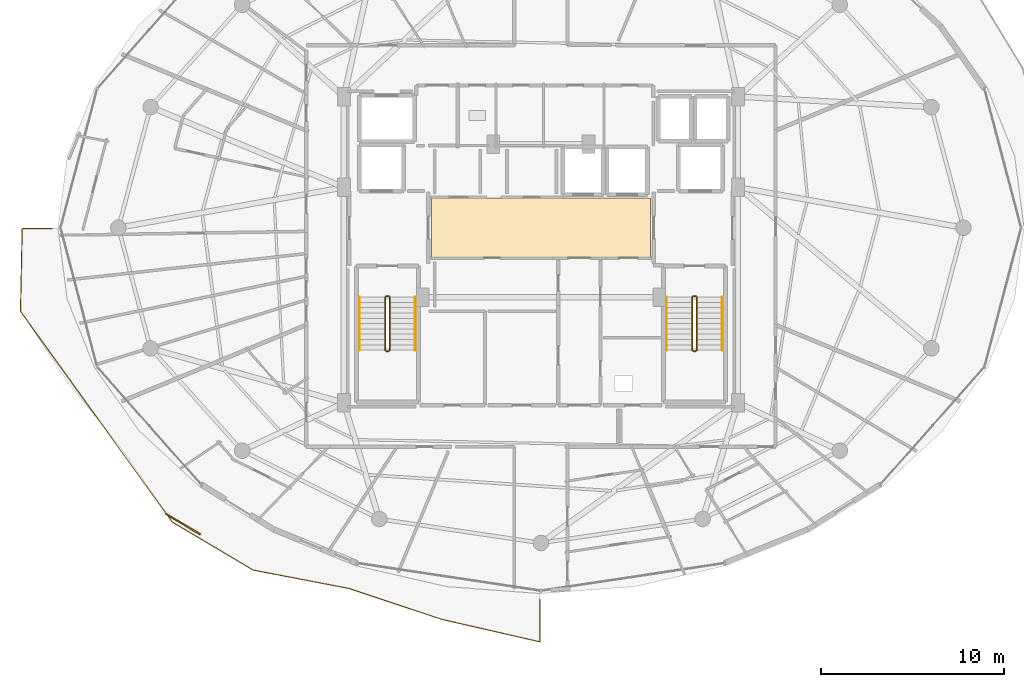
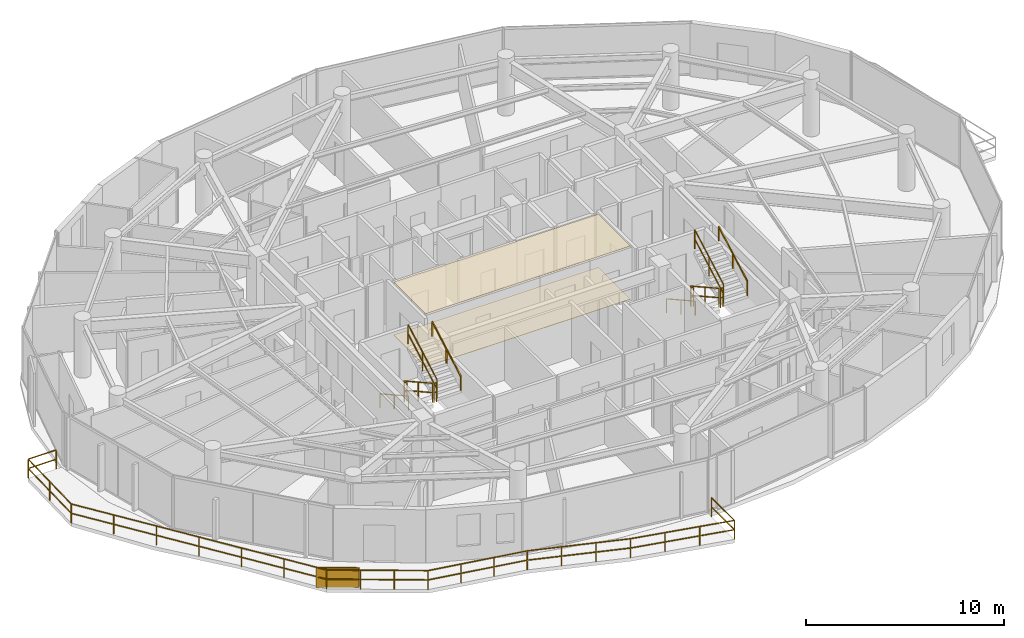
# One storey, part 29 of 31: 14 railings, 2 coverings, 1 shading device.
"""IFC4 building model written with IfcOpenShell, lengths in metres."""

from ifc_helpers import new_model, si_unit, direction, frame, origin, origin_2d, place, context, subcontext, project, spatial, polyline, rectangle, outline, extrude, material, layer, layer_set, type_object, element, save


model = new_model("IFC4")

# Units and contexts
model_context = context("Model", 3, precision=1e-05, world=origin(), true_north=direction((0.0, 1.0)))
body_context = subcontext(model_context, "Body", "Model", "MODEL_VIEW")
ifc_project = project(units=[si_unit("LENGTHUNIT", "METRE"), si_unit("AREAUNIT", "SQUARE_METRE"), si_unit("VOLUMEUNIT", "CUBIC_METRE"), si_unit("PLANEANGLEUNIT", "RADIAN"), si_unit("MASSUNIT", "GRAM", prefix="KILO")], contexts=[model_context])

# Site, building, storey
site_placement = place(None, origin())
site = spatial("IfcSite", under=ifc_project, at=site_placement, CompositionType="ELEMENT")
building_placement = place(site_placement, origin())
building = spatial("IfcBuilding", under=site, at=building_placement, Name="Vorneva Point Tower", CompositionType="ELEMENT")
storey_placement = place(building_placement, frame((0.0, 0.0, 244.89990234375)))
storey = spatial("IfcBuildingStorey", under=building, at=storey_placement, Name="L66", CompositionType="ELEMENT", Elevation=244.89990234375)

# Coverings
ifc_material_1 = material(Name="Perforated acoustic aluminium baffle ceiling", Category="aluminium")
ifc_layer_1 = layer(ifc_material_1, 0.030029296875)
ifc_layer_set_1 = layer_set([ifc_layer_1], Name="Perforated acoustic aluminium baffle ceiling")
covering_type_1 = type_object("IfcCoveringType", Name="COV-CEIL-BAF", PredefinedType="CEILING", material=ifc_layer_set_1)
covering_1_placement = place(storey_placement, frame((0.0, 0.0, 3.260009765625)))
element("IfcCovering", 1, at=covering_1_placement, inside=storey, type_object=covering_type_1, Name="L66 Lift Lobby Acoustic Baffle Ceiling", PredefinedType="CEILING", context=body_context, shape_type="SweptSolid", body=[
    extrude(outline(polyline([(32.02001953125, 24.3701171875), (43.97998046875, 24.3701171875), (43.97998046875, 27.6298828125), (32.02001953125, 27.6298828125), (32.02001953125, 24.3701171875)])), origin(), (0.0, 0.0, 1.0), 0.03515625),
])
ifc_material_2 = material(Name="Acoustic wool hospitality carpet", Category="textile")
ifc_layer_2 = layer(ifc_material_2, 0.01806640625)
ifc_layer_set_2 = layer_set([ifc_layer_2], Name="Acoustic wool hospitality carpet")
covering_type_2 = type_object("IfcCoveringType", Name="COV-FLR-CRP", PredefinedType="FLOORING", material=ifc_layer_set_2)
covering_2_placement = place(storey_placement, frame((0.0, 0.0, -0.0048828125)))
element("IfcCovering", 2, at=covering_2_placement, inside=storey, type_object=covering_type_2, Name="L66 Lift Lobby Floor Finish", PredefinedType="FLOORING", context=body_context, shape_type="SweptSolid", body=[
    extrude(outline(polyline([(32.02001953125, 24.3701171875), (43.97998046875, 24.3701171875), (43.97998046875, 27.6298828125), (32.02001953125, 27.6298828125), (32.02001953125, 24.3701171875)])), origin(), (0.0, 0.0, 1.0), 0.02294921875),
])

# Railings
ifc_material_3 = material(Name="Pale anodised aluminium", Category="aluminium")
railing_type_1 = type_object("IfcRailingType", Name="RL-BAL-1200", PredefinedType="BALUSTRADE", material=ifc_material_3)
railing_1_placement = place(storey_placement, frame((37.949951171875, 3.401611328125, 0.0)))
element("IfcRailing", 3, at=railing_1_placement, inside=storey, type_object=railing_type_1, Name="L66 Wave Balcony Balustrade SW.1", PredefinedType="BALUSTRADE", context=body_context, shape_type="SweptSolid", body=[
    extrude(rectangle(XDim=0.048095703125, YDim=0.048095703125, at=origin_2d()), frame((0.0, 0.0, 1.17578125), z_axis=(0.0, 1.0, 0.0), x_axis=(-1.0, 0.0, 0.0)), (0.0, 0.0, 1.0), 2.3212890625),
    extrude(rectangle(XDim=0.048095703125, YDim=0.048095703125, at=origin_2d()), frame((0.0, 0.0, 0.60009765625), z_axis=(0.0, 1.0, 0.0), x_axis=(-1.0, 0.0, 0.0)), (0.0, 0.0, 1.0), 2.3212890625),
    extrude(rectangle(XDim=0.0419921875, YDim=0.0419921875, at=origin_2d()), origin(), (0.0, 0.0, 1.0), 1.15185546875),
    extrude(rectangle(XDim=0.0419921875, YDim=0.0419921875, at=origin_2d()), frame((0.0, 2.3212890625, 0.0)), (0.0, 0.0, 1.0), 1.15185546875),
])
railing_2_placement = place(storey_placement, frame((11.333740234375, 25.949951171875, 0.0)))
element("IfcRailing", 4, at=railing_2_placement, inside=storey, type_object=railing_type_1, Name="L66 Wave Balcony Balustrade SW.2", PredefinedType="BALUSTRADE", context=body_context, shape_type="SweptSolid", body=[
    extrude(rectangle(XDim=0.048095703125, YDim=0.048095703125, at=origin_2d()), frame((0.0, 0.0, 1.17578125), z_axis=(-1.0, 0.0, 0.0), x_axis=(0.0, -1.0, 0.0)), (0.0, 0.0, 1.0), 1.634765625),
    extrude(rectangle(XDim=0.048095703125, YDim=0.048095703125, at=origin_2d()), frame((0.0, 0.0, 0.60009765625), z_axis=(-1.0, 0.0, 0.0), x_axis=(0.0, -1.0, 0.0)), (0.0, 0.0, 1.0), 1.634765625),
    extrude(rectangle(XDim=0.048095703125, YDim=0.048095703125, at=origin_2d()), frame((-1.634765625, 0.0, 1.17578125), z_axis=(-0.020549532546, -0.999788836061, 0.0), x_axis=(0.999788836061, -0.020549532546, 0.0)), (0.0, 0.0, 1.0), 4.5146484375),
    extrude(rectangle(XDim=0.048095703125, YDim=0.048095703125, at=origin_2d()), frame((-1.634765625, 0.0, 0.60009765625), z_axis=(-0.020549532546, -0.999788836061, 0.0), x_axis=(0.999788836061, -0.020549532546, 0.0)), (0.0, 0.0, 1.0), 4.5146484375),
    extrude(rectangle(XDim=0.048095703125, YDim=0.048095703125, at=origin_2d()), frame((-1.7275390625, -4.513671875, 1.17578125), z_axis=(0.584576966911, -0.811338258531, 0.0), x_axis=(0.811338258531, 0.584576966911, 0.0)), (0.0, 0.0, 1.0), 14.1728515625),
    extrude(rectangle(XDim=0.048095703125, YDim=0.048095703125, at=origin_2d()), frame((-1.7275390625, -4.513671875, 0.60009765625), z_axis=(0.584576966911, -0.811338258531, 0.0), x_axis=(0.811338258531, 0.584576966911, 0.0)), (0.0, 0.0, 1.0), 14.1728515625),
    extrude(rectangle(XDim=0.048095703125, YDim=0.048095703125, at=origin_2d()), frame((6.5576171875, -16.0126953125, 1.17578125), z_axis=(0.85984691298, -0.510551942743, 0.0), x_axis=(0.510551942743, 0.85984691298, 0.0)), (0.0, 0.0, 1.0), 5.13232421875),
    extrude(rectangle(XDim=0.048095703125, YDim=0.048095703125, at=origin_2d()), frame((6.5576171875, -16.0126953125, 0.60009765625), z_axis=(0.85984691298, -0.510551942743, 0.0), x_axis=(0.510551942743, 0.85984691298, 0.0)), (0.0, 0.0, 1.0), 5.13232421875),
    extrude(rectangle(XDim=0.048095703125, YDim=0.048095703125, at=origin_2d()), frame((10.970703125, -18.633056640625, 1.17578125), z_axis=(0.982117634972, -0.188268295464, 0.0), x_axis=(0.188268295464, 0.982117634972, 0.0)), (0.0, 0.0, 1.0), 5.316650390625),
    extrude(rectangle(XDim=0.048095703125, YDim=0.048095703125, at=origin_2d()), frame((10.970703125, -18.633056640625, 0.60009765625), z_axis=(0.982117634972, -0.188268295464, 0.0), x_axis=(0.188268295464, 0.982117634972, 0.0)), (0.0, 0.0, 1.0), 5.316650390625),
    extrude(rectangle(XDim=0.048095703125, YDim=0.048095703125, at=origin_2d()), frame((16.1923828125, -19.634033203125, 1.17578125), z_axis=(0.94880218578, -0.315870879093, 0.0), x_axis=(0.315870879093, 0.94880218578, 0.0)), (0.0, 0.0, 1.0), 5.336181640625),
    extrude(rectangle(XDim=0.048095703125, YDim=0.048095703125, at=origin_2d()), frame((16.1923828125, -19.634033203125, 0.60009765625), z_axis=(0.94880218578, -0.315870879093, 0.0), x_axis=(0.315870879093, 0.94880218578, 0.0)), (0.0, 0.0, 1.0), 5.336181640625),
    extrude(rectangle(XDim=0.048095703125, YDim=0.048095703125, at=origin_2d()), frame((21.25537109375, -21.319580078125, 1.17578125), z_axis=(0.974723055211, -0.223416574227, 0.0), x_axis=(0.223416574227, 0.974723055211, 0.0)), (0.0, 0.0, 1.0), 5.499755859375),
    extrude(rectangle(XDim=0.048095703125, YDim=0.048095703125, at=origin_2d()), frame((21.25537109375, -21.319580078125, 0.60009765625), z_axis=(0.974723055211, -0.223416574227, 0.0), x_axis=(0.223416574227, 0.974723055211, 0.0)), (0.0, 0.0, 1.0), 5.499755859375),
    extrude(rectangle(XDim=0.0419921875, YDim=0.0419921875, at=origin_2d()), origin(), (0.0, 0.0, 1.0), 1.15185546875),
    extrude(rectangle(XDim=0.0419921875, YDim=0.0419921875, at=origin_2d()), frame((-1.634765625, 0.0, 0.0)), (0.0, 0.0, 1.0), 1.15185546875),
    extrude(rectangle(XDim=0.0419921875, YDim=0.0419921875, at=origin_2d()), frame((-1.68115234375, -2.2568359375, 0.0)), (0.0, 0.0, 1.0), 1.15185546875),
    extrude(rectangle(XDim=0.0419921875, YDim=0.0419921875, at=origin_2d()), frame((-1.7275390625, -4.513671875, 0.0)), (0.0, 0.0, 1.0), 1.15185546875),
    extrude(rectangle(XDim=0.0419921875, YDim=0.0419921875, at=origin_2d()), frame((-0.3466796875, -6.43017578125, 0.0)), (0.0, 0.0, 1.0), 1.15185546875),
    extrude(rectangle(XDim=0.0419921875, YDim=0.0419921875, at=origin_2d()), frame((1.0341796875, -8.3466796875, 0.0)), (0.0, 0.0, 1.0), 1.15185546875),
    extrude(rectangle(XDim=0.0419921875, YDim=0.0419921875, at=origin_2d()), frame((2.4150390625, -10.26318359375, 0.0)), (0.0, 0.0, 1.0), 1.15185546875),
    extrude(rectangle(XDim=0.0419921875, YDim=0.0419921875, at=origin_2d()), frame((3.7958984375, -12.1796875, 0.0)), (0.0, 0.0, 1.0), 1.15185546875),
    extrude(rectangle(XDim=0.0419921875, YDim=0.0419921875, at=origin_2d()), frame((5.1767578125, -14.09619140625, 0.0)), (0.0, 0.0, 1.0), 1.15185546875),
    extrude(rectangle(XDim=0.0419921875, YDim=0.0419921875, at=origin_2d()), frame((6.5576171875, -16.0126953125, 0.0)), (0.0, 0.0, 1.0), 1.15185546875),
    extrude(rectangle(XDim=0.0419921875, YDim=0.0419921875, at=origin_2d()), frame((8.028564453125, -16.88623046875, 0.0)), (0.0, 0.0, 1.0), 1.15185546875),
    extrude(rectangle(XDim=0.0419921875, YDim=0.0419921875, at=origin_2d()), frame((9.499755859375, -17.759521484375, 0.0)), (0.0, 0.0, 1.0), 1.15185546875),
    extrude(rectangle(XDim=0.0419921875, YDim=0.0419921875, at=origin_2d()), frame((10.970703125, -18.633056640625, 0.0)), (0.0, 0.0, 1.0), 1.15185546875),
    extrude(rectangle(XDim=0.0419921875, YDim=0.0419921875, at=origin_2d()), frame((12.711181640625, -18.966796875, 0.0)), (0.0, 0.0, 1.0), 1.15185546875),
    extrude(rectangle(XDim=0.0419921875, YDim=0.0419921875, at=origin_2d()), frame((14.451904296875, -19.30029296875, 0.0)), (0.0, 0.0, 1.0), 1.15185546875),
    extrude(rectangle(XDim=0.0419921875, YDim=0.0419921875, at=origin_2d()), frame((16.1923828125, -19.634033203125, 0.0)), (0.0, 0.0, 1.0), 1.15185546875),
    extrude(rectangle(XDim=0.0419921875, YDim=0.0419921875, at=origin_2d()), frame((17.880126953125, -20.19580078125, 0.0)), (0.0, 0.0, 1.0), 1.15185546875),
    extrude(rectangle(XDim=0.0419921875, YDim=0.0419921875, at=origin_2d()), frame((19.567626953125, -20.7578125, 0.0)), (0.0, 0.0, 1.0), 1.15185546875),
    extrude(rectangle(XDim=0.0419921875, YDim=0.0419921875, at=origin_2d()), frame((21.25537109375, -21.319580078125, 0.0)), (0.0, 0.0, 1.0), 1.15185546875),
    extrude(rectangle(XDim=0.0419921875, YDim=0.0419921875, at=origin_2d()), frame((23.042236328125, -21.729248046875, 0.0)), (0.0, 0.0, 1.0), 1.15185546875),
    extrude(rectangle(XDim=0.0419921875, YDim=0.0419921875, at=origin_2d()), frame((24.829345703125, -22.138671875, 0.0)), (0.0, 0.0, 1.0), 1.15185546875),
    extrude(rectangle(XDim=0.0419921875, YDim=0.0419921875, at=origin_2d()), frame((26.6162109375, -22.54833984375, 0.0)), (0.0, 0.0, 1.0), 1.15185546875),
])
ifc_material_4 = material(Name="Brushed stainless steel S304", Category="steel")
railing_type_2 = type_object("IfcRailingType", Name="RL-HND-920", PredefinedType="HANDRAIL", material=ifc_material_4)
railing_3_placement = place(storey_placement, frame((28.10009765625, 22.219970703125, 0.161376953125)))
element("IfcRailing", 5, at=railing_3_placement, inside=storey, type_object=railing_type_2, Name="L66 ST1 stair handrail 1", PredefinedType="HANDRAIL", context=body_context, shape_type="SweptSolid", body=[
    extrude(rectangle(XDim=0.048095703125, YDim=0.048095703125, at=origin_2d()), frame((0.0, 0.0, 0.8759765625), z_axis=(0.0, -0.873810046276, 0.486267419253), x_axis=(1.0, 0.0, 0.0)), (0.0, 0.0, 1.0), 3.318603515625),
    extrude(rectangle(XDim=0.0419921875, YDim=0.0419921875, at=origin_2d()), origin(), (0.0, 0.0, 1.0), 0.851806640625),
    extrude(rectangle(XDim=0.0419921875, YDim=0.0419921875, at=origin_2d()), frame((0.0, -1.449951171875, 0.806884765625)), (0.0, 0.0, 1.0), 0.851806640625),
    extrude(rectangle(XDim=0.0419921875, YDim=0.0419921875, at=origin_2d()), frame((0.0, -2.89990234375, 1.61376953125)), (0.0, 0.0, 1.0), 0.851806640625),
])
railing_4_placement = place(storey_placement, frame((31.14990234375, 19.320068359375, 1.9365234375)))
element("IfcRailing", 6, at=railing_4_placement, inside=storey, type_object=railing_type_2, Name="L66 ST1 stair handrail 2", PredefinedType="HANDRAIL", context=body_context, shape_type="SweptSolid", body=[
    extrude(rectangle(XDim=0.048095703125, YDim=0.048095703125, at=origin_2d()), frame((0.0, 0.0, 0.8759765625), z_axis=(0.0, 0.873841303929, 0.486211245805), x_axis=(-1.0, 0.0, 0.0)), (0.0, 0.0, 1.0), 3.318603515625),
    extrude(rectangle(XDim=0.0419921875, YDim=0.0419921875, at=origin_2d()), origin(), (0.0, 0.0, 1.0), 0.851806640625),
    extrude(rectangle(XDim=0.0419921875, YDim=0.0419921875, at=origin_2d()), frame((0.0, 1.449951171875, 0.806640625)), (0.0, 0.0, 1.0), 0.851806640625),
    extrude(rectangle(XDim=0.0419921875, YDim=0.0419921875, at=origin_2d()), frame((0.0, 2.89990234375, 1.613525390625)), (0.0, 0.0, 1.0), 0.851806640625),
])
railing_5_placement = place(storey_placement, frame((44.85009765625, 22.219970703125, 0.161376953125)))
element("IfcRailing", 7, at=railing_5_placement, inside=storey, type_object=railing_type_2, Name="L66 ST2 stair handrail 1", PredefinedType="HANDRAIL", context=body_context, shape_type="SweptSolid", body=[
    extrude(rectangle(XDim=0.048095703125, YDim=0.048095703125, at=origin_2d()), frame((0.0, 0.0, 0.8759765625), z_axis=(0.0, -0.873810046276, 0.486267419253), x_axis=(1.0, 0.0, 0.0)), (0.0, 0.0, 1.0), 3.318603515625),
    extrude(rectangle(XDim=0.0419921875, YDim=0.0419921875, at=origin_2d()), origin(), (0.0, 0.0, 1.0), 0.851806640625),
    extrude(rectangle(XDim=0.0419921875, YDim=0.0419921875, at=origin_2d()), frame((0.0, -1.449951171875, 0.806884765625)), (0.0, 0.0, 1.0), 0.851806640625),
    extrude(rectangle(XDim=0.0419921875, YDim=0.0419921875, at=origin_2d()), frame((0.0, -2.89990234375, 1.61376953125)), (0.0, 0.0, 1.0), 0.851806640625),
])
railing_6_placement = place(storey_placement, frame((47.89990234375, 19.320068359375, 1.9365234375)))
element("IfcRailing", 8, at=railing_6_placement, inside=storey, type_object=railing_type_2, Name="L66 ST2 stair handrail 2", PredefinedType="HANDRAIL", context=body_context, shape_type="SweptSolid", body=[
    extrude(rectangle(XDim=0.048095703125, YDim=0.048095703125, at=origin_2d()), frame((0.0, 0.0, 0.8759765625), z_axis=(0.0, 0.873841303929, 0.486211245805), x_axis=(-1.0, 0.0, 0.0)), (0.0, 0.0, 1.0), 3.318603515625),
    extrude(rectangle(XDim=0.0419921875, YDim=0.0419921875, at=origin_2d()), origin(), (0.0, 0.0, 1.0), 0.851806640625),
    extrude(rectangle(XDim=0.0419921875, YDim=0.0419921875, at=origin_2d()), frame((0.0, 1.449951171875, 0.806640625)), (0.0, 0.0, 1.0), 0.851806640625),
    extrude(rectangle(XDim=0.0419921875, YDim=0.0419921875, at=origin_2d()), frame((0.0, 2.89990234375, 1.613525390625)), (0.0, 0.0, 1.0), 0.851806640625),
])
railing_type_3 = type_object("IfcRailingType", Name="RL-STG-1100", PredefinedType="GUARDRAIL", material=ifc_material_4)
railing_7_placement = place(storey_placement, frame((29.5, 22.219970703125, 0.161376953125)))
element("IfcRailing", 9, at=railing_7_placement, inside=storey, type_object=railing_type_3, Name="L66 ST1 stair guard 1", PredefinedType="GUARDRAIL", context=body_context, shape_type="SweptSolid", body=[
    extrude(rectangle(XDim=0.048095703125, YDim=0.048095703125, at=origin_2d()), frame((0.0, 0.0, 1.17578125), z_axis=(0.0, -0.873810046276, 0.486267419253), x_axis=(1.0, 0.0, 0.0)), (0.0, 0.0, 1.0), 3.318603515625),
    extrude(rectangle(XDim=0.048095703125, YDim=0.048095703125, at=origin_2d()), frame((0.0, 0.0, 0.60009765625), z_axis=(0.0, -0.873810046276, 0.486267419253), x_axis=(1.0, 0.0, 0.0)), (0.0, 0.0, 1.0), 3.318603515625),
    extrude(rectangle(XDim=0.0419921875, YDim=0.0419921875, at=origin_2d()), origin(), (0.0, 0.0, 1.0), 1.15185546875),
    extrude(rectangle(XDim=0.0419921875, YDim=0.0419921875, at=origin_2d()), frame((0.0, -1.449951171875, 0.806884765625)), (0.0, 0.0, 1.0), 1.15185546875),
    extrude(rectangle(XDim=0.0419921875, YDim=0.0419921875, at=origin_2d()), frame((0.0, -2.89990234375, 1.61376953125)), (0.0, 0.0, 1.0), 1.15185546875),
])
railing_8_placement = place(storey_placement, frame((29.550048828125, 19.27001953125, 1.775146484375)))
element("IfcRailing", 10, at=railing_8_placement, inside=storey, type_object=railing_type_3, Name="L66 ST1 stair guard 2", PredefinedType="GUARDRAIL", context=body_context, shape_type="SweptSolid", body=[
    extrude(rectangle(XDim=0.048095703125, YDim=0.048095703125, at=origin_2d()), frame((0.0, 0.0, 1.17578125), z_axis=(1.0, 0.0, 0.0), x_axis=(0.0, 1.0, 0.0)), (0.0, 0.0, 1.0), 0.14990234375),
    extrude(rectangle(XDim=0.048095703125, YDim=0.048095703125, at=origin_2d()), frame((0.0, 0.0, 0.60009765625), z_axis=(1.0, 0.0, 0.0), x_axis=(0.0, 1.0, 0.0)), (0.0, 0.0, 1.0), 0.14990234375),
    extrude(rectangle(XDim=0.0419921875, YDim=0.0419921875, at=origin_2d()), origin(), (0.0, 0.0, 1.0), 1.15185546875),
    extrude(rectangle(XDim=0.0419921875, YDim=0.0419921875, at=origin_2d()), frame((0.14990234375, 0.0, 0.0)), (0.0, 0.0, 1.0), 1.15185546875),
])
railing_9_placement = place(storey_placement, frame((29.75, 19.320068359375, 1.9365234375)))
element("IfcRailing", 11, at=railing_9_placement, inside=storey, type_object=railing_type_3, Name="L66 ST1 stair guard 3", PredefinedType="GUARDRAIL", context=body_context, shape_type="SweptSolid", body=[
    extrude(rectangle(XDim=0.048095703125, YDim=0.048095703125, at=origin_2d()), frame((0.0, 0.0, 1.17578125), z_axis=(0.0, 0.873841303929, 0.486211245805), x_axis=(-1.0, 0.0, 0.0)), (0.0, 0.0, 1.0), 3.318603515625),
    extrude(rectangle(XDim=0.048095703125, YDim=0.048095703125, at=origin_2d()), frame((0.0, 0.0, 0.60009765625), z_axis=(0.0, 0.873841303929, 0.486211245805), x_axis=(-1.0, 0.0, 0.0)), (0.0, 0.0, 1.0), 3.318603515625),
    extrude(rectangle(XDim=0.0419921875, YDim=0.0419921875, at=origin_2d()), origin(), (0.0, 0.0, 1.0), 1.15185546875),
    extrude(rectangle(XDim=0.0419921875, YDim=0.0419921875, at=origin_2d()), frame((0.0, 1.449951171875, 0.806640625)), (0.0, 0.0, 1.0), 1.15185546875),
    extrude(rectangle(XDim=0.0419921875, YDim=0.0419921875, at=origin_2d()), frame((0.0, 2.89990234375, 1.613525390625)), (0.0, 0.0, 1.0), 1.15185546875),
])
railing_10_placement = place(storey_placement, frame((29.550048828125, 22.27001953125, 0.0)))
element("IfcRailing", 12, at=railing_10_placement, inside=storey, type_object=railing_type_3, Name="L66 ST1 stair guard 4", PredefinedType="GUARDRAIL", context=body_context, shape_type="SweptSolid", body=[
    extrude(rectangle(XDim=0.048095703125, YDim=0.048095703125, at=origin_2d()), frame((0.0, 0.0, 1.17578125), z_axis=(1.0, 0.0, 0.0), x_axis=(0.0, 1.0, 0.0)), (0.0, 0.0, 1.0), 0.14990234375),
    extrude(rectangle(XDim=0.048095703125, YDim=0.048095703125, at=origin_2d()), frame((0.0, 0.0, 0.60009765625), z_axis=(1.0, 0.0, 0.0), x_axis=(0.0, 1.0, 0.0)), (0.0, 0.0, 1.0), 0.14990234375),
    extrude(rectangle(XDim=0.0419921875, YDim=0.0419921875, at=origin_2d()), origin(), (0.0, 0.0, 1.0), 1.15185546875),
    extrude(rectangle(XDim=0.0419921875, YDim=0.0419921875, at=origin_2d()), frame((0.14990234375, 0.0, 0.0)), (0.0, 0.0, 1.0), 1.15185546875),
])
railing_11_placement = place(storey_placement, frame((46.25, 22.219970703125, 0.161376953125)))
element("IfcRailing", 13, at=railing_11_placement, inside=storey, type_object=railing_type_3, Name="L66 ST2 stair guard 1", PredefinedType="GUARDRAIL", context=body_context, shape_type="SweptSolid", body=[
    extrude(rectangle(XDim=0.048095703125, YDim=0.048095703125, at=origin_2d()), frame((0.0, 0.0, 1.17578125), z_axis=(0.0, -0.873810046276, 0.486267419253), x_axis=(1.0, 0.0, 0.0)), (0.0, 0.0, 1.0), 3.318603515625),
    extrude(rectangle(XDim=0.048095703125, YDim=0.048095703125, at=origin_2d()), frame((0.0, 0.0, 0.60009765625), z_axis=(0.0, -0.873810046276, 0.486267419253), x_axis=(1.0, 0.0, 0.0)), (0.0, 0.0, 1.0), 3.318603515625),
    extrude(rectangle(XDim=0.0419921875, YDim=0.0419921875, at=origin_2d()), origin(), (0.0, 0.0, 1.0), 1.15185546875),
    extrude(rectangle(XDim=0.0419921875, YDim=0.0419921875, at=origin_2d()), frame((0.0, -1.449951171875, 0.806884765625)), (0.0, 0.0, 1.0), 1.15185546875),
    extrude(rectangle(XDim=0.0419921875, YDim=0.0419921875, at=origin_2d()), frame((0.0, -2.89990234375, 1.61376953125)), (0.0, 0.0, 1.0), 1.15185546875),
])
railing_12_placement = place(storey_placement, frame((46.300048828125, 19.27001953125, 1.775146484375)))
element("IfcRailing", 14, at=railing_12_placement, inside=storey, type_object=railing_type_3, Name="L66 ST2 stair guard 2", PredefinedType="GUARDRAIL", context=body_context, shape_type="SweptSolid", body=[
    extrude(rectangle(XDim=0.048095703125, YDim=0.048095703125, at=origin_2d()), frame((0.0, 0.0, 1.17578125), z_axis=(1.0, 0.0, 0.0), x_axis=(0.0, 1.0, 0.0)), (0.0, 0.0, 1.0), 0.14990234375),
    extrude(rectangle(XDim=0.048095703125, YDim=0.048095703125, at=origin_2d()), frame((0.0, 0.0, 0.60009765625), z_axis=(1.0, 0.0, 0.0), x_axis=(0.0, 1.0, 0.0)), (0.0, 0.0, 1.0), 0.14990234375),
    extrude(rectangle(XDim=0.0419921875, YDim=0.0419921875, at=origin_2d()), origin(), (0.0, 0.0, 1.0), 1.15185546875),
    extrude(rectangle(XDim=0.0419921875, YDim=0.0419921875, at=origin_2d()), frame((0.14990234375, 0.0, 0.0)), (0.0, 0.0, 1.0), 1.15185546875),
])
railing_13_placement = place(storey_placement, frame((46.5, 19.320068359375, 1.9365234375)))
element("IfcRailing", 15, at=railing_13_placement, inside=storey, type_object=railing_type_3, Name="L66 ST2 stair guard 3", PredefinedType="GUARDRAIL", context=body_context, shape_type="SweptSolid", body=[
    extrude(rectangle(XDim=0.048095703125, YDim=0.048095703125, at=origin_2d()), frame((0.0, 0.0, 1.17578125), z_axis=(0.0, 0.873841303929, 0.486211245805), x_axis=(-1.0, 0.0, 0.0)), (0.0, 0.0, 1.0), 3.318603515625),
    extrude(rectangle(XDim=0.048095703125, YDim=0.048095703125, at=origin_2d()), frame((0.0, 0.0, 0.60009765625), z_axis=(0.0, 0.873841303929, 0.486211245805), x_axis=(-1.0, 0.0, 0.0)), (0.0, 0.0, 1.0), 3.318603515625),
    extrude(rectangle(XDim=0.0419921875, YDim=0.0419921875, at=origin_2d()), origin(), (0.0, 0.0, 1.0), 1.15185546875),
    extrude(rectangle(XDim=0.0419921875, YDim=0.0419921875, at=origin_2d()), frame((0.0, 1.449951171875, 0.806640625)), (0.0, 0.0, 1.0), 1.15185546875),
    extrude(rectangle(XDim=0.0419921875, YDim=0.0419921875, at=origin_2d()), frame((0.0, 2.89990234375, 1.613525390625)), (0.0, 0.0, 1.0), 1.15185546875),
])
railing_14_placement = place(storey_placement, frame((46.300048828125, 22.27001953125, 0.0)))
element("IfcRailing", 16, at=railing_14_placement, inside=storey, type_object=railing_type_3, Name="L66 ST2 stair guard 4", PredefinedType="GUARDRAIL", context=body_context, shape_type="SweptSolid", body=[
    extrude(rectangle(XDim=0.048095703125, YDim=0.048095703125, at=origin_2d()), frame((0.0, 0.0, 1.17578125), z_axis=(1.0, 0.0, 0.0), x_axis=(0.0, 1.0, 0.0)), (0.0, 0.0, 1.0), 0.14990234375),
    extrude(rectangle(XDim=0.048095703125, YDim=0.048095703125, at=origin_2d()), frame((0.0, 0.0, 0.60009765625), z_axis=(1.0, 0.0, 0.0), x_axis=(0.0, 1.0, 0.0)), (0.0, 0.0, 1.0), 0.14990234375),
    extrude(rectangle(XDim=0.0419921875, YDim=0.0419921875, at=origin_2d()), origin(), (0.0, 0.0, 1.0), 1.15185546875),
    extrude(rectangle(XDim=0.0419921875, YDim=0.0419921875, at=origin_2d()), frame((0.14990234375, 0.0, 0.0)), (0.0, 0.0, 1.0), 1.15185546875),
])

# Shading device
shading_device_type = type_object("IfcShadingDeviceType", Name="SHD-JAL-1200", PredefinedType="JALOUSIE", material=ifc_material_3)
shading_device_placement = place(storey_placement, frame((18.469482421875, 9.834716796875, -0.02001953125), z_axis=(0.0, 0.0, 1.0), x_axis=(0.859861182121, -0.510527910581, 0.0)))
element("IfcShadingDevice", 17, at=shading_device_placement, inside=storey, type_object=shading_device_type, Name="L66 Balcony Vertical-Greenery Planter Screen SW.2", PredefinedType="JALOUSIE", context=body_context, shape_type="SweptSolid", body=[
    extrude(rectangle(XDim=2.199951171875, YDim=0.080078125, at=origin_2d()), origin(), (0.0, 0.0, 1.0), 1.199951171875),
])

save(model, "model.ifc")
